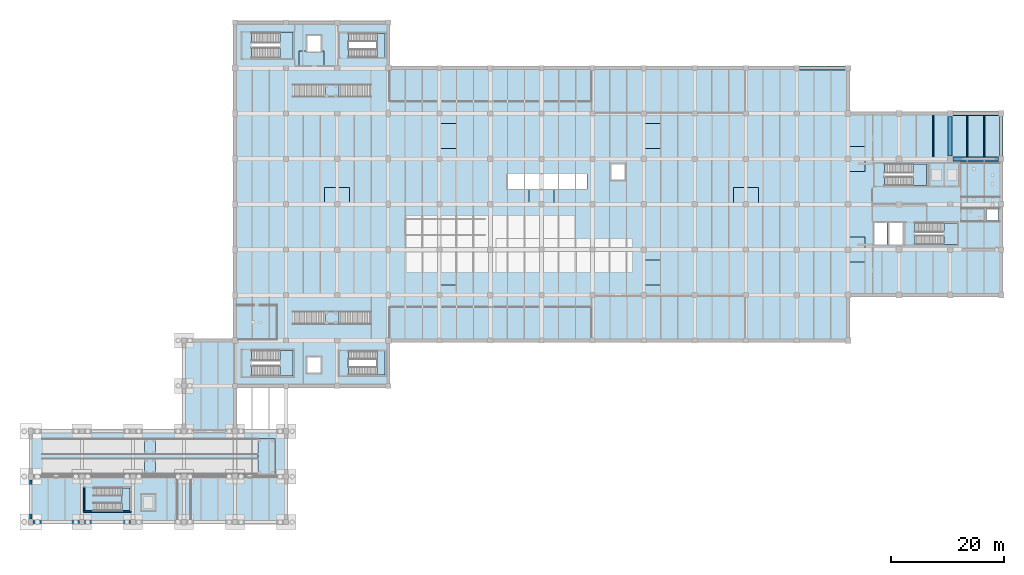
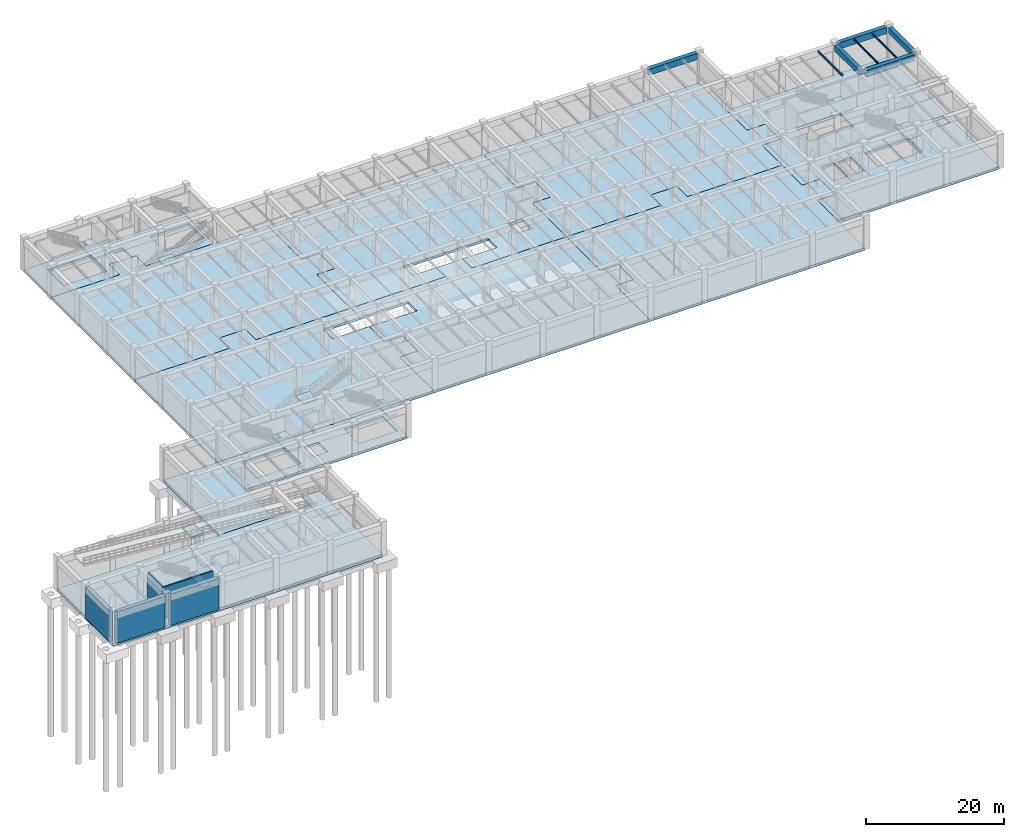
# One storey, part 6 of 20: 23 slabs, 8 beams, 5 walls, 10 elements without a shape of their own.
"""IFC4 building model written with IfcOpenShell, lengths in metres."""

from ifc_helpers import new_model, si_unit, derived_unit, direction, frame, frame_2d, origin, origin_2d, place, context, subcontext, project, spatial, polyline, rectangle, i_section, outline, extrude, material, layer, layer_set, material_profile, profile_set, type_object, element, aggregate, save


model = new_model("IFC4")

# Units and contexts
model_context = context("Model", 3, precision=1e-05, world=origin(), true_north=direction((0.0, 1.0)))
body_context = subcontext(model_context, "Body", "Model", "MODEL_VIEW")
ifc_project = project(units=[si_unit("LENGTHUNIT", "METRE"), si_unit("AREAUNIT", "SQUARE_METRE"), si_unit("VOLUMEUNIT", "CUBIC_METRE"), si_unit("PLANEANGLEUNIT", "RADIAN"), si_unit("MASSUNIT", "GRAM", prefix="KILO"), derived_unit("THERMALTRANSMITTANCEUNIT", [(si_unit("MASSUNIT", "GRAM", prefix="KILO"), 1), (si_unit("TIMEUNIT", "SECOND"), -3), (si_unit("THERMODYNAMICTEMPERATUREUNIT", "KELVIN"), -1)])], contexts=[model_context])

# Site, building, storey
site_placement = place(None, origin())
site = spatial("IfcSite", under=ifc_project, at=site_placement, CompositionType="ELEMENT")
building_placement = place(site_placement, origin())
building = spatial("IfcBuilding", under=site, at=building_placement, Name="Zhenchuan Archway Interchange", CompositionType="ELEMENT")
storey_placement = place(building_placement, frame((0.0, 0.0, -6.0)))
storey = spatial("IfcBuildingStorey", under=building, at=storey_placement, Name="B1", CompositionType="ELEMENT", Elevation=-6.0)

# Beams
ifc_material_1 = material(Name="Concrete C40", Category="concrete")
ifc_material_profile_1 = material_profile(ifc_material_1, rectangle(XDim=0.64990234375, YDim=1.0, at=origin_2d()), Name="RC 650x1000")
ifc_profile_set_1 = profile_set([ifc_material_profile_1], Name="Concrete C40")
beam_type_1 = type_object("IfcBeamType", Name="BM_RC_650x1000", PredefinedType="BEAM", material=ifc_profile_set_1)
for number, where, z_axis, x_axis, name in (
    (1, (162.0, 64.5, 5.080078125), (0.0, 1.0, 0.0), (-1.0, 0.0, 0.0), "Beam 19:J-K (B1)"),
    (2, (171.0, 64.5, 5.080078125), (0.0, 1.0, 0.0), (-1.0, 0.0, 0.0), "Beam 20:J-K (B1)"),
):
    element("IfcBeam", number, at=place(storey_placement, frame(where, z_axis=z_axis, x_axis=x_axis)), inside=storey, type_object=beam_type_1, Name=name, PredefinedType="BEAM", context=body_context, shape_type="SweptSolid", body=[
        extrude(rectangle(XDim=0.64990234375, YDim=1.0, at=origin_2d()), origin(), (0.0, 0.0, 1.0), 7.0),
    ])
ifc_material_profile_2 = material_profile(ifc_material_1, rectangle(XDim=0.699951171875, YDim=1.10009765625, at=origin_2d()), Name="RC 700x1100")
ifc_profile_set_2 = profile_set([ifc_material_profile_2], Name="Concrete C40")
beam_type_2 = type_object("IfcBeamType", Name="BM_RC_700x1100", PredefinedType="BEAM", material=ifc_profile_set_2)
for number, where, z_axis, x_axis, name in (
    (3, (162.5, 64.0, 5.030029296875), (1.0, 0.0, 0.0), (0.0, 1.0, 0.0), "Beam J:19-20 (B1)"),
    (4, (162.5, 72.0, 5.030029296875), (1.0, 0.0, 0.0), (0.0, 1.0, 0.0), "Beam K:19-20 (B1)"),
):
    element("IfcBeam", number, at=place(storey_placement, frame(where, z_axis=z_axis, x_axis=x_axis)), inside=storey, type_object=beam_type_2, Name=name, PredefinedType="BEAM", context=body_context, shape_type="SweptSolid", body=[
        extrude(rectangle(XDim=0.699951171875, YDim=1.10009765625, at=origin_2d()), origin(), (0.0, 0.0, 1.0), 8.0),
    ])
beam_1_placement = place(storey_placement, frame((135.47509765625, 80.0, 5.030029296875), z_axis=(1.0, 0.0, 0.0), x_axis=(0.0, 1.0, 0.0)))
element("IfcBeam", 5, at=beam_1_placement, inside=storey, type_object=beam_type_2, Name="Beam L:16-17 (B1)", PredefinedType="BEAM", context=body_context, shape_type="SweptSolid", body=[
    extrude(rectangle(XDim=0.699951171875, YDim=1.10009765625, at=origin_2d()), origin(), (0.0, 0.0, 1.0), 8.02490234375),
])
ifc_material_2 = material(Name="Steel Q355", Category="steel")
ifc_material_profile_3 = material_profile(ifc_material_2, i_section(OverallWidth=0.14990234375, OverallDepth=0.300048828125, WebThickness=0.006591796875, FlangeThickness=0.009033203125, FilletRadius=0.012939453125, at=origin_2d()), Name="HN 300x150")
ifc_profile_set_3 = profile_set([ifc_material_profile_3], Name="Steel Q355")
beam_type_3 = type_object("IfcBeamType", Name="JST_STL_HN300", PredefinedType="JOIST", material=ifc_profile_set_3)
for number, where, z_axis, x_axis, name in (
    (6, (165.0, 64.35009765625, 5.429931640625), (0.0, 1.0, 0.0), (-1.0, 0.0, 0.0), "Secondary joist 19-20/J-K #1 (B1)"),
    (7, (168.0, 64.35009765625, 5.429931640625), (0.0, 1.0, 0.0), (-1.0, 0.0, 0.0), "Secondary joist 19-20/J-K #2 (B1)"),
):
    element("IfcBeam", number, at=place(storey_placement, frame(where, z_axis=z_axis, x_axis=x_axis)), inside=storey, type_object=beam_type_3, Name=name, PredefinedType="JOIST", context=body_context, shape_type="SweptSolid", body=[
        extrude(i_section(OverallWidth=0.14990234375, OverallDepth=0.300048828125, WebThickness=0.006591796875, FlangeThickness=0.009033203125, FilletRadius=0.012939453125, at=origin_2d()), origin(), (0.0, 0.0, 1.0), 7.2998046875),
    ])
ifc_material_profile_4 = material_profile(ifc_material_2, i_section(OverallWidth=0.175048828125, OverallDepth=0.35009765625, WebThickness=0.007080078125, FlangeThickness=0.010986328125, FilletRadius=0.013916015625, at=origin_2d()), Name="HN 350x175")
ifc_profile_set_4 = profile_set([ifc_material_profile_4], Name="Steel Q355")
beam_type_4 = type_object("IfcBeamType", Name="JST_STL_HN350", PredefinedType="JOIST", material=ifc_profile_set_4)
beam_2_placement = place(storey_placement, frame((159.0, 64.35009765625, 5.405029296875), z_axis=(0.0, 1.0, 0.0), x_axis=(-1.0, 0.0, 0.0)))
element("IfcBeam", 8, at=beam_2_placement, inside=storey, type_object=beam_type_4, Name="Secondary joist 18-19/J-K #2 (B1)", PredefinedType="JOIST", context=body_context, shape_type="SweptSolid", body=[
    extrude(i_section(OverallWidth=0.175048828125, OverallDepth=0.35009765625, WebThickness=0.007080078125, FlangeThickness=0.010986328125, FilletRadius=0.013916015625, at=origin_2d()), origin(), (0.0, 0.0, 1.0), 7.2998046875),
])

# Slabs
ifc_layer_1 = layer(ifc_material_1, 0.5)
ifc_layer_set_1 = layer_set([ifc_layer_1], Name="Concrete C40")
slab_type_1 = type_object("IfcSlabType", Name="SLB_BASE_500", PredefinedType="BASESLAB", material=ifc_layer_set_1)
slab_1_placement = place(storey_placement, frame((0.0, 0.0, -0.5)))
element("IfcSlab", 9, at=slab_1_placement, inside=storey, type_object=slab_type_1, Name="Structural slab B1 CYC-B1", PredefinedType="BASESLAB", context=body_context, shape_type="SweptSolid", body=[
    extrude(outline(polyline([(45.0, 0.0), (45.0, 16.0), (0.0, 16.0), (0.0, 0.0), (45.0, 0.0)])), origin(), (0.0, 0.0, 1.0), 0.5),
])
slab_2_placement = place(storey_placement, frame((0.0, 0.0, -0.5)))
element("IfcSlab", 10, at=slab_2_placement, inside=storey, type_object=slab_type_1, Name="Structural slab B1 CYC-LNK", PredefinedType="BASESLAB", context=body_context, shape_type="SweptSolid", body=[
    extrude(outline(polyline([(36.0, 16.0), (36.0, 32.0), (27.0, 32.0), (27.0, 16.0), (36.0, 16.0)])), origin(), (0.0, 0.0, 1.0), 0.5),
])
ifc_layer_2 = layer(ifc_material_1, 0.43994140625)
ifc_layer_set_2 = layer_set([ifc_layer_2], Name="Concrete C40")
slab_type_2 = type_object("IfcSlabType", Name="SLB_FLR_440", PredefinedType="FLOOR", material=ifc_layer_set_2)
slab_3_placement = place(storey_placement, frame((0.0, 0.0, -0.43994140625)))
element("IfcSlab", 11, at=slab_3_placement, inside=storey, type_object=slab_type_2, Name="Structural slab B1 M-W1", PredefinedType="FLOOR", context=body_context, shape_type="SweptSolid", body=[
    extrude(outline(polyline([(74.998046875, 46.197998046875), (74.998046875, 41.802001953125), (72.0, 41.802001953125), (72.0, 32.0), (36.0, 32.0), (36.0, 56.0), (51.802001953125, 56.0), (51.802001953125, 58.998046875), (56.197998046875, 58.998046875), (56.197998046875, 56.0), (72.0, 56.0), (72.0, 53.35009765625), (65.89990234375, 53.35009765625), (65.89990234375, 50.64990234375), (72.0, 50.64990234375), (72.0, 46.197998046875), (74.998046875, 46.197998046875)])), origin(), (0.0, 0.0, 1.0), 0.43994140625),
])
slab_4_placement = place(storey_placement, frame((0.0, 0.0, -0.43994140625)))
element("IfcSlab", 12, at=slab_4_placement, inside=storey, type_object=slab_type_2, Name="Structural slab B1 M-W2", PredefinedType="FLOOR", context=body_context, shape_type="SweptSolid", body=[
    extrude(outline(polyline([(47.302001953125, 82.998046875), (48.719970703125, 82.998046875), (48.719970703125, 82.919921875), (51.080078125, 82.919921875), (51.080078125, 82.998046875), (51.697998046875, 82.998046875), (51.697998046875, 80.0), (72.0, 80.0), (72.0, 70.197998046875), (74.998046875, 70.197998046875), (74.998046875, 65.802001953125), (72.0, 65.802001953125), (72.0, 56.0), (56.199951171875, 56.0), (56.199951171875, 59.0), (51.800048828125, 59.0), (51.800048828125, 56.0), (36.0, 56.0), (36.0, 80.0), (47.302001953125, 80.0), (47.302001953125, 82.998046875)])), origin(), (0.0, 0.0, 1.0), 0.43994140625),
])
slab_5_placement = place(storey_placement, frame((0.0, 0.0, -0.43994140625)))
element("IfcSlab", 13, at=slab_5_placement, inside=storey, type_object=slab_type_2, Name="Structural slab B1 M-S", PredefinedType="FLOOR", context=body_context, shape_type="SweptSolid", body=[
    extrude(outline(polyline([(63.0, 32.0), (63.0, 24.0), (36.0, 24.0), (36.0, 32.0), (63.0, 32.0)]), holes=[polyline([(38.875, 30.27490234375), (38.875, 25.72509765625), (46.22509765625, 25.72509765625), (46.22509765625, 30.27490234375), (38.875, 30.27490234375)]), polyline([(62.43505859375, 30.125), (55.965087890625, 30.125), (55.965087890625, 25.875), (62.43505859375, 25.875), (62.43505859375, 30.125)]), polyline([(51.080078125, 26.320068359375), (51.080078125, 29.080078125), (48.719970703125, 29.080078125), (48.719970703125, 26.320068359375), (51.080078125, 26.320068359375)])]), origin(), (0.0, 0.0, 1.0), 0.43994140625),
])
slab_6_placement = place(storey_placement, frame((0.0, 0.0, -0.43994140625)))
element("IfcSlab", 14, at=slab_6_placement, inside=storey, type_object=slab_type_2, Name="Structural slab B1 M-N", PredefinedType="FLOOR", context=body_context, shape_type="SweptSolid", body=[
    extrude(outline(polyline([(63.0, 80.0), (51.699951171875, 80.0), (51.699951171875, 83.0), (51.080078125, 83.0), (51.080078125, 85.679931640625), (48.719970703125, 85.679931640625), (48.719970703125, 83.0), (47.300048828125, 83.0), (47.300048828125, 80.0), (36.0, 80.0), (36.0, 88.0), (63.0, 88.0), (63.0, 80.0)]), holes=[polyline([(38.875, 86.27490234375), (38.875, 81.72509765625), (46.22509765625, 81.72509765625), (46.22509765625, 86.27490234375), (38.875, 86.27490234375)]), polyline([(62.43505859375, 86.125), (55.965087890625, 86.125), (55.965087890625, 81.875), (62.43505859375, 81.875), (62.43505859375, 86.125)])]), origin(), (0.0, 0.0, 1.0), 0.43994140625),
])
slab_7_placement = place(storey_placement, frame((0.0, 0.0, -0.43994140625)))
element("IfcSlab", 15, at=slab_7_placement, inside=storey, type_object=slab_type_2, Name="Structural slab B1 M-C1", PredefinedType="FLOOR", context=body_context, shape_type="SweptSolid", body=[
    extrude(outline(polyline([(92.197998046875, 56.0), (108.0, 56.0), (108.0, 46.197998046875), (110.998046875, 46.197998046875), (110.998046875, 41.802001953125), (108.0, 41.802001953125), (108.0, 32.0), (72.0, 32.0), (72.0, 41.800048828125), (75.0, 41.800048828125), (75.0, 46.199951171875), (72.0, 46.199951171875), (72.0, 50.64990234375), (80.0, 50.64990234375), (80.0, 53.35009765625), (72.0, 53.35009765625), (72.0, 56.0), (87.802001953125, 56.0), (87.802001953125, 58.675048828125), (92.197998046875, 58.675048828125), (92.197998046875, 56.0)])), origin(), (0.0, 0.0, 1.0), 0.43994140625),
])
slab_8_placement = place(storey_placement, frame((0.0, 0.0, -0.43994140625)))
element("IfcSlab", 16, at=slab_8_placement, inside=storey, type_object=slab_type_2, Name="Structural slab B1 M-C2", PredefinedType="FLOOR", context=body_context, shape_type="SweptSolid", body=[
    extrude(outline(polyline([(110.998046875, 65.802001953125), (108.0, 65.802001953125), (108.0, 56.0), (92.199951171875, 56.0), (92.199951171875, 58.675048828125), (98.0, 58.675048828125), (98.0, 61.324951171875), (83.89990234375, 61.324951171875), (83.89990234375, 58.675048828125), (87.800048828125, 58.675048828125), (87.800048828125, 56.0), (72.0, 56.0), (72.0, 65.800048828125), (75.0, 65.800048828125), (75.0, 70.199951171875), (72.0, 70.199951171875), (72.0, 80.0), (108.0, 80.0), (108.0, 70.197998046875), (110.998046875, 70.197998046875), (110.998046875, 65.802001953125)]), holes=[polyline([(104.679931640625, 60.320068359375), (104.679931640625, 63.080078125), (102.320068359375, 63.080078125), (102.320068359375, 60.320068359375), (104.679931640625, 60.320068359375)])]), origin(), (0.0, 0.0, 1.0), 0.43994140625),
])
slab_9_placement = place(storey_placement, frame((0.0, 0.0, -0.43994140625)))
element("IfcSlab", 17, at=slab_9_placement, inside=storey, type_object=slab_type_2, Name="Structural slab B1 M-E1", PredefinedType="FLOOR", context=body_context, shape_type="SweptSolid", body=[
    extrude(outline(polyline([(123.802001953125, 58.998046875), (128.197998046875, 58.998046875), (128.197998046875, 56.0), (144.0, 56.0), (144.0, 50.197998046875), (146.998046875, 50.197998046875), (146.998046875, 45.802001953125), (144.0, 45.802001953125), (144.0, 32.0), (108.0, 32.0), (108.0, 41.800048828125), (111.0, 41.800048828125), (111.0, 46.199951171875), (108.0, 46.199951171875), (108.0, 56.0), (123.802001953125, 56.0), (123.802001953125, 58.998046875)])), origin(), (0.0, 0.0, 1.0), 0.43994140625),
])
slab_10_placement = place(storey_placement, frame((0.0, 0.0, -0.43994140625)))
element("IfcSlab", 18, at=slab_10_placement, inside=storey, type_object=slab_type_2, Name="Structural slab B1 M-E2", PredefinedType="FLOOR", context=body_context, shape_type="SweptSolid", body=[
    extrude(outline(polyline([(144.0, 66.197998046875), (146.998046875, 66.197998046875), (146.998046875, 61.802001953125), (144.0, 61.802001953125), (144.0, 56.0), (128.199951171875, 56.0), (128.199951171875, 59.0), (123.800048828125, 59.0), (123.800048828125, 56.0), (108.0, 56.0), (108.0, 65.800048828125), (111.0, 65.800048828125), (111.0, 70.199951171875), (108.0, 70.199951171875), (108.0, 80.0), (144.0, 80.0), (144.0, 66.197998046875)])), origin(), (0.0, 0.0, 1.0), 0.43994140625),
])
slab_11_placement = place(storey_placement, frame((0.0, 0.0, -0.43994140625)))
element("IfcSlab", 19, at=slab_11_placement, inside=storey, type_object=slab_type_2, Name="Structural slab B1 M-CORE", PredefinedType="FLOOR", context=body_context, shape_type="SweptSolid", body=[
    extrude(outline(polyline([(147.0, 50.199951171875), (144.0, 50.199951171875), (144.0, 61.800048828125), (147.0, 61.800048828125), (147.0, 66.199951171875), (144.0, 66.199951171875), (144.0, 72.0), (171.0, 72.0), (171.0, 40.0), (144.0, 40.0), (144.0, 45.800048828125), (147.0, 45.800048828125), (147.0, 50.199951171875)]), holes=[polyline([(157.875, 59.27490234375), (157.875, 63.125), (150.425048828125, 63.125), (150.425048828125, 59.27490234375), (157.875, 59.27490234375)]), polyline([(155.824951171875, 48.875), (163.27490234375, 48.875), (163.27490234375, 52.72509765625), (155.824951171875, 52.72509765625), (155.824951171875, 48.875)]), polyline([(148.6201171875, 52.72998046875), (148.6201171875, 48.8701171875), (150.8798828125, 48.8701171875), (150.8798828125, 52.72998046875), (148.6201171875, 52.72998046875)]), polyline([(153.6201171875, 52.72998046875), (151.360107421875, 52.72998046875), (151.360107421875, 48.8701171875), (153.6201171875, 48.8701171875), (153.6201171875, 52.72998046875)]), polyline([(170.449951171875, 53.14990234375), (170.449951171875, 55.10009765625), (168.449951171875, 55.10009765625), (168.449951171875, 53.14990234375), (170.449951171875, 53.14990234375)])]), origin(), (0.0, 0.0, 1.0), 0.43994140625),
])

# Stair, slab
ifc_material_3 = material(Name="Concrete C35", Category="concrete")
stair_type_1 = type_object("IfcStairType", Name="STR_HALF_1800", PredefinedType="HALF_TURN_STAIR", material=ifc_material_3)
stair_1_placement = place(storey_placement, origin())
stair_1 = element("IfcStair", 20, at=stair_1_placement, inside=storey, type_object=stair_type_1, Name="Stair ST-M1 (B1)", PredefinedType="HALF_TURN_STAIR")
ifc_layer_3 = layer(ifc_material_3, 0.199951171875)
ifc_layer_set_3 = layer_set([ifc_layer_3], Name="Concrete C35")
slab_type_3 = type_object("IfcSlabType", Name="SLB_LANDING_200", PredefinedType="LANDING", material=ifc_layer_set_3)
slab_12_placement = place(storey_placement, frame((0.0, 0.0, 2.800048828125)))
slab_12 = element("IfcSlab", 21, at=slab_12_placement, type_object=slab_type_3, Name="Stair ST-M1 half-landing (B1)", PredefinedType="LANDING", context=body_context, shape_type="SweptSolid", body=[
    extrude(outline(polyline([(43.93505859375, 25.722900390625), (46.22705078125, 25.722900390625), (46.22705078125, 30.277099609375), (43.93505859375, 30.277099609375), (43.93505859375, 25.722900390625)])), origin(), (0.0, 0.0, 1.0), 0.199951171875),
])
aggregate(stair_1, [slab_12])

stair_2_placement = place(storey_placement, origin())
stair_2 = element("IfcStair", 22, at=stair_2_placement, inside=storey, type_object=stair_type_1, Name="Stair ST-M2 (B1)", PredefinedType="HALF_TURN_STAIR")
slab_13_placement = place(storey_placement, frame((0.0, 0.0, 2.800048828125)))
slab_13 = element("IfcSlab", 23, at=slab_13_placement, type_object=slab_type_3, Name="Stair ST-M2 half-landing (B1)", PredefinedType="LANDING", context=body_context, shape_type="SweptSolid", body=[
    extrude(outline(polyline([(43.93505859375, 81.722900390625), (46.22705078125, 81.722900390625), (46.22705078125, 86.277099609375), (43.93505859375, 86.277099609375), (43.93505859375, 81.722900390625)])), origin(), (0.0, 0.0, 1.0), 0.199951171875),
])
aggregate(stair_2, [slab_13])

stair_type_2 = type_object("IfcStairType", Name="STR_HALF_1400", PredefinedType="HALF_TURN_STAIR", material=ifc_material_3)
stair_3_placement = place(storey_placement, origin())
stair_3 = element("IfcStair", 24, at=stair_3_placement, inside=storey, type_object=stair_type_2, Name="Stair ST-M3 (B1)", PredefinedType="HALF_TURN_STAIR")
slab_14_placement = place(storey_placement, frame((0.0, 0.0, 2.800048828125)))
slab_14 = element("IfcSlab", 25, at=slab_14_placement, type_object=slab_type_3, Name="Stair ST-M3 half-landing (B1)", PredefinedType="LANDING", context=body_context, shape_type="SweptSolid", body=[
    extrude(outline(polyline([(61.02490234375, 25.873046875), (62.43701171875, 25.873046875), (62.43701171875, 30.126953125), (61.02490234375, 30.126953125), (61.02490234375, 25.873046875)])), origin(), (0.0, 0.0, 1.0), 0.199951171875),
])
aggregate(stair_3, [slab_14])

stair_4_placement = place(storey_placement, origin())
stair_4 = element("IfcStair", 26, at=stair_4_placement, inside=storey, type_object=stair_type_2, Name="Stair ST-M4 (B1)", PredefinedType="HALF_TURN_STAIR")
slab_15_placement = place(storey_placement, frame((0.0, 0.0, 2.800048828125)))
slab_15 = element("IfcSlab", 27, at=slab_15_placement, type_object=slab_type_3, Name="Stair ST-M4 half-landing (B1)", PredefinedType="LANDING", context=body_context, shape_type="SweptSolid", body=[
    extrude(outline(polyline([(61.02490234375, 81.873046875), (62.43701171875, 81.873046875), (62.43701171875, 86.126953125), (61.02490234375, 86.126953125), (61.02490234375, 81.873046875)])), origin(), (0.0, 0.0, 1.0), 0.199951171875),
])
aggregate(stair_4, [slab_15])

stair_5_placement = place(storey_placement, origin())
stair_5 = element("IfcStair", 28, at=stair_5_placement, inside=storey, type_object=stair_type_2, Name="Stair ST-C1 (B1)", PredefinedType="HALF_TURN_STAIR")
slab_16_placement = place(storey_placement, frame((0.0, 0.0, 2.800048828125)))
slab_16 = element("IfcSlab", 29, at=slab_16_placement, type_object=slab_type_3, Name="Stair ST-C1 half-landing (B1)", PredefinedType="LANDING", context=body_context, shape_type="SweptSolid", body=[
    extrude(outline(polyline([(16.0849609375, 1.972900390625), (17.4970703125, 1.972900390625), (17.4970703125, 6.027099609375), (16.0849609375, 6.027099609375), (16.0849609375, 1.972900390625)])), origin(), (0.0, 0.0, 1.0), 0.199951171875),
])
aggregate(stair_5, [slab_16])

stair_type_3 = type_object("IfcStairType", Name="STR_HALF_1550", PredefinedType="HALF_TURN_STAIR", material=ifc_material_3)
stair_6_placement = place(storey_placement, origin())
stair_6 = element("IfcStair", 30, at=stair_6_placement, inside=storey, type_object=stair_type_3, Name="Stair ST-O1 (B1)", PredefinedType="HALF_TURN_STAIR")
slab_17_placement = place(storey_placement, frame((0.0, 0.0, 2.800048828125)))
slab_17 = element("IfcSlab", 31, at=slab_17_placement, type_object=slab_type_3, Name="Stair ST-O1 half-landing (B1)", PredefinedType="LANDING", context=body_context, shape_type="SweptSolid", body=[
    extrude(outline(polyline([(155.485107421875, 59.27294921875), (157.876953125, 59.27294921875), (157.876953125, 63.126953125), (155.485107421875, 63.126953125), (155.485107421875, 59.27294921875)])), origin(), (0.0, 0.0, 1.0), 0.199951171875),
])
aggregate(stair_6, [slab_17])

stair_type_4 = type_object("IfcStairType", Name="STR_HALF_1600", PredefinedType="HALF_TURN_STAIR", material=ifc_material_3)
stair_7_placement = place(storey_placement, origin())
stair_7 = element("IfcStair", 32, at=stair_7_placement, inside=storey, type_object=stair_type_4, Name="Stair ST-O2 (B1)", PredefinedType="HALF_TURN_STAIR")
slab_18_placement = place(storey_placement, frame((0.0, 0.0, 2.800048828125)))
slab_18 = element("IfcSlab", 33, at=slab_18_placement, type_object=slab_type_3, Name="Stair ST-O2 half-landing (B1)", PredefinedType="LANDING", context=body_context, shape_type="SweptSolid", body=[
    extrude(outline(polyline([(160.885009765625, 48.873046875), (163.277099609375, 48.873046875), (163.277099609375, 52.72705078125), (160.885009765625, 52.72705078125), (160.885009765625, 48.873046875)])), origin(), (0.0, 0.0, 1.0), 0.199951171875),
])
aggregate(stair_7, [slab_18])

stair_type_5 = type_object("IfcStairType", Name="STR_MON_2250", PredefinedType="STRAIGHT_RUN_STAIR", material=ifc_material_3)
stair_8_placement = place(storey_placement, origin())
stair_8 = element("IfcStair", 34, at=stair_8_placement, inside=storey, type_object=stair_type_5, Name="Monumental public stair ST-P3", PredefinedType="STRAIGHT_RUN_STAIR")
ifc_layer_4 = layer(ifc_material_3, 0.219970703125)
ifc_layer_set_4 = layer_set([ifc_layer_4], Name="Concrete C35")
slab_type_4 = type_object("IfcSlabType", Name="SLB_LANDING_220", PredefinedType="LANDING", material=ifc_layer_set_4)
slab_19_placement = place(storey_placement, frame((0.0, 0.0, 2.780029296875)))
slab_19 = element("IfcSlab", 35, at=slab_19_placement, type_object=slab_type_4, Name="Monumental stair ST-P3 intermediate landing", PredefinedType="LANDING", context=body_context, shape_type="SweptSolid", body=[
    extrude(outline(polyline([(51.8798828125, 34.875), (54.280029296875, 34.875), (54.280029296875, 37.125), (51.8798828125, 37.125), (51.8798828125, 34.875)])), origin(), (0.0, 0.0, 1.0), 0.219970703125),
])
aggregate(stair_8, [slab_19])

stair_type_6 = type_object("IfcStairType", Name="STR_MON_2200", PredefinedType="STRAIGHT_RUN_STAIR", material=ifc_material_3)
stair_9_placement = place(storey_placement, origin())
stair_9 = element("IfcStair", 36, at=stair_9_placement, inside=storey, type_object=stair_type_6, Name="Monumental public stair ST-P4", PredefinedType="STRAIGHT_RUN_STAIR")
slab_20_placement = place(storey_placement, frame((0.0, 0.0, 2.780029296875)))
slab_20 = element("IfcSlab", 37, at=slab_20_placement, type_object=slab_type_4, Name="Monumental stair ST-P4 intermediate landing", PredefinedType="LANDING", context=body_context, shape_type="SweptSolid", body=[
    extrude(outline(polyline([(51.8798828125, 74.89990234375), (54.280029296875, 74.89990234375), (54.280029296875, 77.10009765625), (51.8798828125, 77.10009765625), (51.8798828125, 74.89990234375)])), origin(), (0.0, 0.0, 1.0), 0.219970703125),
])
aggregate(stair_9, [slab_20])

# Ramp, slabs
ramp_type = type_object("IfcRampType", Name="RMP_CYC_SYS", PredefinedType="USERDEFINED", material=ifc_material_3)
ramp_placement = place(storey_placement, origin())
ramp = element("IfcRamp", 38, at=ramp_placement, inside=storey, type_object=ramp_type, Name="Cycle hub 1:12 access ramp RMP-C1", ObjectType="CYCLE_RAMP", PredefinedType="USERDEFINED")
ifc_layer_5 = layer(ifc_material_3, 0.280029296875)
ifc_layer_set_5 = layer_set([ifc_layer_5], Name="Concrete C35")
slab_type_5 = type_object("IfcSlabType", Name="SLB_RAMP_LAND_280", PredefinedType="LANDING", material=ifc_layer_set_5)
slab_21_placement = place(storey_placement, frame((0.0, 0.0, 1.219970703125)))
slab_21 = element("IfcSlab", 39, at=slab_21_placement, type_object=slab_type_5, Name="RMP-C1 intermediate landing 1", PredefinedType="LANDING", context=body_context, shape_type="SweptSolid", body=[
    extrude(outline(polyline([(20.0, 8.39990234375), (22.0, 8.39990234375), (22.0, 11.199951171875), (20.0, 11.199951171875), (20.0, 8.39990234375)])), origin(), (0.0, 0.0, 1.0), 0.280029296875),
])
slab_22_placement = place(storey_placement, frame((0.0, 0.0, 2.719970703125)))
slab_22 = element("IfcSlab", 40, at=slab_22_placement, type_object=slab_type_5, Name="RMP-C1 intermediate landing 2", PredefinedType="LANDING", context=body_context, shape_type="SweptSolid", body=[
    extrude(outline(polyline([(40.0, 8.39990234375), (43.0, 8.39990234375), (43.0, 14.699951171875), (40.0, 14.699951171875), (40.0, 8.39990234375)])), origin(), (0.0, 0.0, 1.0), 0.280029296875),
])
slab_23_placement = place(storey_placement, frame((0.0, 0.0, 4.219970703125)))
slab_23 = element("IfcSlab", 41, at=slab_23_placement, type_object=slab_type_5, Name="RMP-C1 intermediate landing 3", PredefinedType="LANDING", context=body_context, shape_type="SweptSolid", body=[
    extrude(outline(polyline([(20.0, 11.89990234375), (22.0, 11.89990234375), (22.0, 14.699951171875), (20.0, 14.699951171875), (20.0, 11.89990234375)])), origin(), (0.0, 0.0, 1.0), 0.280029296875),
])
aggregate(ramp, [slab_21, slab_22, slab_23])

# Walls
ifc_layer_6 = layer(ifc_material_1, 0.5)
ifc_layer_set_6 = layer_set([ifc_layer_6], Name="Concrete C40")
wall_type_1 = type_object("IfcWallType", Name="EW_DIAPH_500", PredefinedType="STANDARD", material=ifc_layer_set_6)
wall_1_placement = place(storey_placement, frame((0.0, 0.548095703125, 0.0), z_axis=(0.0, 0.0, 1.0), x_axis=(0.0, 1.0, 0.0)))
element("IfcWall", 42, at=wall_1_placement, inside=storey, type_object=wall_type_1, Name="Basement diaphragm wall B1-001", PredefinedType="STANDARD", context=body_context, shape_type="SweptSolid", body=[
    extrude(rectangle(XDim=6.90380859375, YDim=0.5, at=frame_2d((3.451904296875, 0.0))), origin(), (0.0, 0.0, 1.0), 5.56005859375),
])
wall_2_placement = place(storey_placement, frame((17.576904296875, 0.0, 0.0), z_axis=(0.0, 0.0, 1.0), x_axis=(-1.0, 0.0, 0.0)))
element("IfcWall", 43, at=wall_2_placement, inside=storey, type_object=wall_type_1, Name="Basement diaphragm wall B1-061", PredefinedType="STANDARD", context=body_context, shape_type="SweptSolid", body=[
    extrude(rectangle(XDim=8.15380859375, YDim=0.5, at=frame_2d((4.076904296875, 0.0))), origin(), (0.0, 0.0, 1.0), 5.56005859375),
])
wall_3_placement = place(storey_placement, frame((8.576904296875, 0.0, 0.0), z_axis=(0.0, 0.0, 1.0), x_axis=(-1.0, 0.0, 0.0)))
element("IfcWall", 44, at=wall_3_placement, inside=storey, type_object=wall_type_1, Name="Basement diaphragm wall B1-062", PredefinedType="STANDARD", context=body_context, shape_type="SweptSolid", body=[
    extrude(rectangle(XDim=8.178955078125, YDim=0.5, at=frame_2d((4.08935546875, 0.0))), origin(), (0.0, 0.0, 1.0), 5.56005859375),
])
ifc_layer_7 = layer(ifc_material_1, 0.25)
ifc_layer_set_7 = layer_set([ifc_layer_7], Name="Concrete C40")
wall_type_2 = type_object("IfcWallType", Name="WL_STAIR_250", PredefinedType="SHEAR", material=ifc_layer_set_7)
wall_4_placement = place(storey_placement, frame((9.2548828125, 1.85009765625, 0.0), z_axis=(0.0, 0.0, 1.0), x_axis=(1.0, 0.0, 0.0)))
element("IfcWall", 45, at=wall_4_placement, inside=storey, type_object=wall_type_2, Name="Stair ST-C1 south wall (B1)", PredefinedType="SHEAR", context=body_context, shape_type="SweptSolid", body=[
    extrude(rectangle(XDim=8.490234375, YDim=0.25, at=frame_2d((4.2451171875, 0.0))), origin(), (0.0, 0.0, 1.0), 5.550048828125),
])
wall_5_placement = place(storey_placement, frame((9.3798828125, 6.02490234375, 0.0), z_axis=(0.0, 0.0, 1.0), x_axis=(0.0, -1.0, 0.0)))
element("IfcWall", 46, at=wall_5_placement, inside=storey, type_object=wall_type_2, Name="Stair ST-C1 west wall (B1)", PredefinedType="SHEAR", context=body_context, shape_type="SweptSolid", body=[
    extrude(rectangle(XDim=4.0498046875, YDim=0.25, at=frame_2d((2.02490234375, 0.0))), origin(), (0.0, 0.0, 1.0), 5.550048828125),
])

save(model, "model.ifc")
